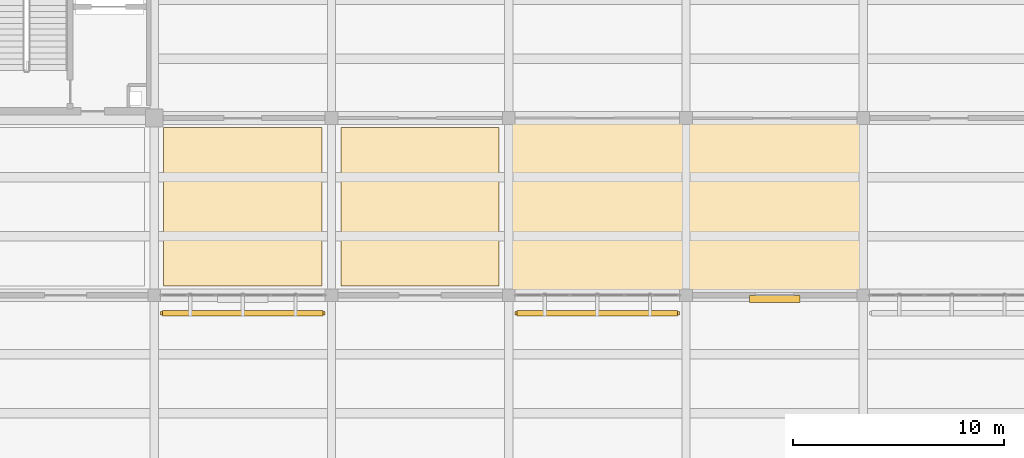
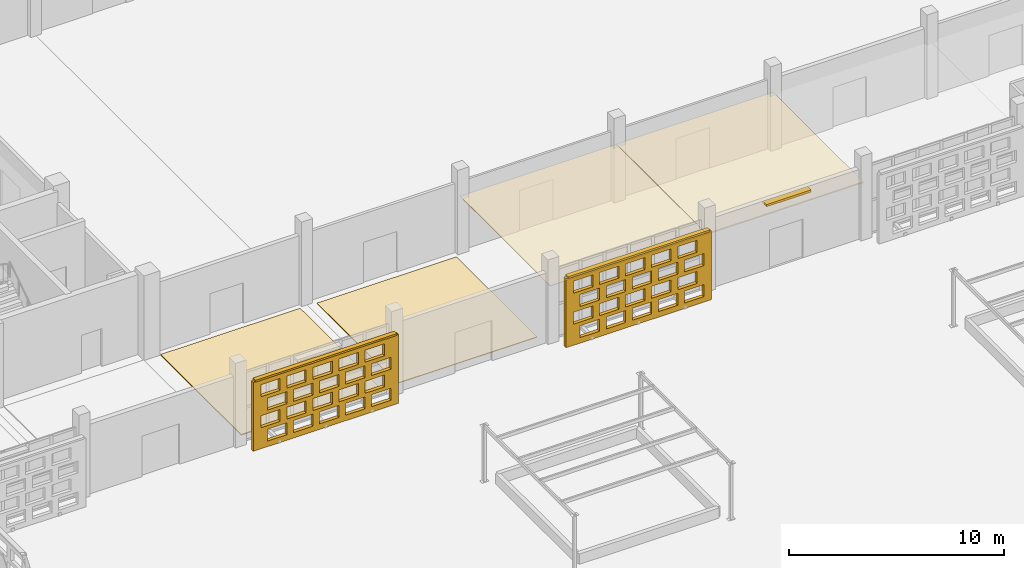
# One storey, part 104 of 129: 6 coverings, 3 shading devices, 40 openings.
"""IFC4 building model written with IfcOpenShell, lengths in metres."""

from ifc_helpers import new_model, si_unit, direction, frame, frame_2d, origin, origin_2d, place, context, subcontext, project, spatial, rectangle, extrude, material, layer, layer_set, type_object, element, save


model = new_model("IFC4")

# Units and contexts
model_context = context("Model", 3, precision=1e-05, world=origin(), true_north=direction((0.0, 1.0)))
body_context = subcontext(model_context, "Body", "Model", "MODEL_VIEW")
ifc_project = project(units=[si_unit("LENGTHUNIT", "METRE"), si_unit("AREAUNIT", "SQUARE_METRE"), si_unit("VOLUMEUNIT", "CUBIC_METRE"), si_unit("PLANEANGLEUNIT", "RADIAN"), si_unit("MASSUNIT", "GRAM", prefix="KILO")], contexts=[model_context])

# Site, building, storey
site_placement = place(None, origin())
site = spatial("IfcSite", under=ifc_project, at=site_placement, CompositionType="ELEMENT")
building_placement = place(site_placement, origin())
building = spatial("IfcBuilding", under=site, at=building_placement, Name="Varnapada Polytechnic", CompositionType="ELEMENT")
storey_placement = place(building_placement, origin())
storey = spatial("IfcBuildingStorey", under=building, at=storey_placement, Name="L00", CompositionType="ELEMENT", Elevation=0.0)

# Coverings
ifc_material_1 = material(Name="Anti-Static Raised Laboratory Flooring")
ifc_layer_1 = layer(ifc_material_1, 0.06005859375)
ifc_layer_set_1 = layer_set([ifc_layer_1], Name="Anti-Static Raised Laboratory Flooring")
covering_type_1 = type_object("IfcCoveringType", Name="Floor Finish FLR-02", PredefinedType="FLOORING", material=ifc_layer_set_1)
covering_1_placement = place(storey_placement, frame((63.0, 88.199951171875, 0.0), z_axis=(0.0, 0.0, 1.0), x_axis=(1.0, 0.0, 0.0)))
element("IfcCovering", 1, at=covering_1_placement, inside=storey, type_object=covering_type_1, Name="L00 floor finish panel (8,11)", PredefinedType="FLOORING", context=body_context, shape_type="SweptSolid", body=[
    extrude(rectangle(XDim=7.5, YDim=7.5, at=origin_2d()), origin(), (0.0, 0.0, 1.0), 0.06005859375),
])
ifc_material_2 = material(Name="Acoustic Rubber Seminar Flooring")
ifc_layer_2 = layer(ifc_material_2, 0.0400390625)
ifc_layer_set_2 = layer_set([ifc_layer_2], Name="Acoustic Rubber Seminar Flooring")
covering_type_2 = type_object("IfcCoveringType", Name="Floor Finish FLR-06", PredefinedType="FLOORING", material=ifc_layer_set_2)
covering_2_placement = place(storey_placement, frame((71.39990234375, 88.199951171875, 0.0), z_axis=(0.0, 0.0, 1.0), x_axis=(1.0, 0.0, 0.0)))
element("IfcCovering", 2, at=covering_2_placement, inside=storey, type_object=covering_type_2, Name="L00 floor finish panel (9,11)", PredefinedType="FLOORING", context=body_context, shape_type="SweptSolid", body=[
    extrude(rectangle(XDim=7.5, YDim=7.5, at=origin_2d()), origin(), (0.0, 0.0, 1.0), 0.0400390625),
])

# Shading device
ifc_material_3 = material(Name="Anodised aluminium", Category="aluminium")
ifc_layer_3 = layer(ifc_material_3, 0.35009765625)
ifc_layer_set_3 = layer_set([ifc_layer_3], Name="Anodised aluminium")
shading_device_type_1 = type_object("IfcShadingDeviceType", Name="Solar Louvre LVR-01", PredefinedType="JALOUSIE", material=ifc_layer_set_3)
shading_device_placement = place(storey_placement, frame((88.199951171875, 83.820068359375, 3.760009765625), z_axis=(0.0, 0.0, 1.0), x_axis=(-1.0, 0.0, 0.0)))
element("IfcShadingDevice", 3, at=shading_device_placement, inside=storey, type_object=shading_device_type_1, Name="L00 aluminium sun louvre 58", PredefinedType="JALOUSIE", context=body_context, shape_type="SweptSolid", body=[
    extrude(rectangle(XDim=2.39990234375, YDim=0.340087890625, at=origin_2d()), origin(), (0.0, 0.0, 1.0), 0.1201171875),
])

# Coverings
ifc_material_4 = material(Name="Moisture-Resistant Aluminum Baffle Ceiling", Category="aluminium")
ifc_layer_4 = layer(ifc_material_4, 0.030029296875)
ifc_layer_set_4 = layer_set([ifc_layer_4], Name="Moisture-Resistant Aluminum Baffle Ceiling")
covering_type_3 = type_object("IfcCoveringType", Name="Suspended Ceiling CLG-03", PredefinedType="CEILING", material=ifc_layer_set_4)
covering_3_placement = place(storey_placement, frame((79.800048828125, 88.199951171875, 3.03515625), z_axis=(0.0, 0.0, 1.0), x_axis=(1.0, 0.0, 0.0)))
element("IfcCovering", 4, at=covering_3_placement, inside=storey, type_object=covering_type_3, Name="L00 suspended acoustic ceiling (10,11)", PredefinedType="CEILING", context=body_context, shape_type="SweptSolid", body=[
    extrude(rectangle(XDim=8.419921875, YDim=8.419921875, at=origin_2d()), origin(), (0.0, 0.0, 1.0), 0.030029296875),
])
ifc_material_5 = material(Name="Deep Acoustic Auditorium Cloud Baffle")
ifc_layer_5 = layer(ifc_material_5, 0.06494140625)
ifc_layer_set_5 = layer_set([ifc_layer_5], Name="Deep Acoustic Auditorium Cloud Baffle")
covering_type_4 = type_object("IfcCoveringType", Name="Suspended Ceiling CLG-07", PredefinedType="CEILING", material=ifc_layer_set_5)
covering_4_placement = place(storey_placement, frame((88.199951171875, 88.199951171875, 3.017578125), z_axis=(0.0, 0.0, 1.0), x_axis=(1.0, 0.0, 0.0)))
element("IfcCovering", 5, at=covering_4_placement, inside=storey, type_object=covering_type_4, Name="L00 suspended acoustic ceiling (11,11)", PredefinedType="CEILING", context=body_context, shape_type="SweptSolid", body=[
    extrude(rectangle(XDim=8.419921875, YDim=8.419921875, at=origin_2d()), origin(), (0.0, 0.0, 1.0), 0.06494140625),
])

# Covering, openings
ifc_material_6 = material(Name="Earth-toned architectural terracotta screen block", Category="masonry")
ifc_layer_6 = layer(ifc_material_6, 0.1201171875)
ifc_layer_set_6 = layer_set([ifc_layer_6], Name="Earth-toned architectural terracotta screen block")
covering_type_5 = type_object("IfcCoveringType", Name="Terracotta Screen Cladding CLD-01", PredefinedType="CLADDING", material=ifc_layer_set_6)
covering_5_placement = place(storey_placement, frame((66.89990234375, 83.14990234375, 0.0), z_axis=(0.0, 0.0, 1.0), x_axis=(-1.0, 0.0, 0.0)))
covering_5 = element("IfcCovering", 6, at=covering_5_placement, inside=storey, type_object=covering_type_5, Name="L00 perforated terracotta block screen (46)", PredefinedType="CLADDING", context=body_context, shape_type="SweptSolid", body=[
    extrude(rectangle(XDim=7.7998046875, YDim=0.179931640625, at=frame_2d((3.89990234375, 0.0))), origin(), (0.0, 0.0, 1.0), 3.919921875),
])
opening_1_placement = place(covering_5_placement, frame((0.39990234375, 0.0, 0.313720703125)))
element("IfcOpeningElement", 7, at=opening_1_placement, cuts=covering_5, Name="Screen perforation TBS-L00-045.1", PredefinedType="OPENING", context=body_context, shape_type="SweptSolid", body=[
    extrude(rectangle(XDim=1.0400390625, YDim=0.679931640625, at=frame_2d((0.52001953125, 0.33984375))), frame((0.0, 0.099853515625, 0.0), z_axis=(0.0, -1.0, 0.0), x_axis=(1.0, 0.0, 0.0)), (0.0, 0.0, 1.0), 0.199951171875),
])
opening_2_placement = place(covering_5_placement, frame((1.800048828125, 0.0, 0.313720703125)))
element("IfcOpeningElement", 8, at=opening_2_placement, cuts=covering_5, Name="Screen perforation TBS-L00-045.2", PredefinedType="OPENING", context=body_context, shape_type="SweptSolid", body=[
    extrude(rectangle(XDim=1.0400390625, YDim=0.679931640625, at=frame_2d((0.52001953125, 0.33984375))), frame((0.0, 0.099853515625, 0.0), z_axis=(0.0, -1.0, 0.0), x_axis=(1.0, 0.0, 0.0)), (0.0, 0.0, 1.0), 0.199951171875),
])
opening_3_placement = place(covering_5_placement, frame((3.199951171875, 0.0, 0.313720703125)))
element("IfcOpeningElement", 9, at=opening_3_placement, cuts=covering_5, Name="Screen perforation TBS-L00-045.3", PredefinedType="OPENING", context=body_context, shape_type="SweptSolid", body=[
    extrude(rectangle(XDim=1.0400390625, YDim=0.679931640625, at=frame_2d((0.52001953125, 0.33984375))), frame((0.0, 0.099853515625, 0.0), z_axis=(0.0, -1.0, 0.0), x_axis=(1.0, 0.0, 0.0)), (0.0, 0.0, 1.0), 0.199951171875),
])
opening_4_placement = place(covering_5_placement, frame((4.60009765625, 0.0, 0.313720703125)))
element("IfcOpeningElement", 10, at=opening_4_placement, cuts=covering_5, Name="Screen perforation TBS-L00-045.4", PredefinedType="OPENING", context=body_context, shape_type="SweptSolid", body=[
    extrude(rectangle(XDim=1.0400390625, YDim=0.679931640625, at=frame_2d((0.52001953125, 0.33984375))), frame((0.0, 0.099853515625, 0.0), z_axis=(0.0, -1.0, 0.0), x_axis=(1.0, 0.0, 0.0)), (0.0, 0.0, 1.0), 0.199951171875),
])
opening_5_placement = place(covering_5_placement, frame((6.0, 0.0, 0.313720703125)))
element("IfcOpeningElement", 11, at=opening_5_placement, cuts=covering_5, Name="Screen perforation TBS-L00-045.5", PredefinedType="OPENING", context=body_context, shape_type="SweptSolid", body=[
    extrude(rectangle(XDim=1.0400390625, YDim=0.679931640625, at=frame_2d((0.52001953125, 0.33984375))), frame((0.0, 0.099853515625, 0.0), z_axis=(0.0, -1.0, 0.0), x_axis=(1.0, 0.0, 0.0)), (0.0, 0.0, 1.0), 0.199951171875),
])
opening_6_placement = place(covering_5_placement, frame((0.760009765625, 0.0, 1.195556640625)))
element("IfcOpeningElement", 12, at=opening_6_placement, cuts=covering_5, Name="Screen perforation TBS-L00-045.6", PredefinedType="OPENING", context=body_context, shape_type="SweptSolid", body=[
    extrude(rectangle(XDim=1.0400390625, YDim=0.679931640625, at=frame_2d((0.52001953125, 0.33984375))), frame((0.0, 0.099853515625, 0.0), z_axis=(0.0, -1.0, 0.0), x_axis=(1.0, 0.0, 0.0)), (0.0, 0.0, 1.0), 0.199951171875),
])
opening_7_placement = place(covering_5_placement, frame((2.159912109375, 0.0, 1.195556640625)))
element("IfcOpeningElement", 13, at=opening_7_placement, cuts=covering_5, Name="Screen perforation TBS-L00-045.7", PredefinedType="OPENING", context=body_context, shape_type="SweptSolid", body=[
    extrude(rectangle(XDim=1.0400390625, YDim=0.679931640625, at=frame_2d((0.52001953125, 0.33984375))), frame((0.0, 0.099853515625, 0.0), z_axis=(0.0, -1.0, 0.0), x_axis=(1.0, 0.0, 0.0)), (0.0, 0.0, 1.0), 0.199951171875),
])
opening_8_placement = place(covering_5_placement, frame((3.56005859375, 0.0, 1.195556640625)))
element("IfcOpeningElement", 14, at=opening_8_placement, cuts=covering_5, Name="Screen perforation TBS-L00-045.8", PredefinedType="OPENING", context=body_context, shape_type="SweptSolid", body=[
    extrude(rectangle(XDim=1.0400390625, YDim=0.679931640625, at=frame_2d((0.52001953125, 0.33984375))), frame((0.0, 0.099853515625, 0.0), z_axis=(0.0, -1.0, 0.0), x_axis=(1.0, 0.0, 0.0)), (0.0, 0.0, 1.0), 0.199951171875),
])
opening_9_placement = place(covering_5_placement, frame((4.9599609375, 0.0, 1.195556640625)))
element("IfcOpeningElement", 15, at=opening_9_placement, cuts=covering_5, Name="Screen perforation TBS-L00-045.9", PredefinedType="OPENING", context=body_context, shape_type="SweptSolid", body=[
    extrude(rectangle(XDim=1.0400390625, YDim=0.679931640625, at=frame_2d((0.52001953125, 0.33984375))), frame((0.0, 0.099853515625, 0.0), z_axis=(0.0, -1.0, 0.0), x_axis=(1.0, 0.0, 0.0)), (0.0, 0.0, 1.0), 0.199951171875),
])
opening_10_placement = place(covering_5_placement, frame((6.360107421875, 0.0, 1.195556640625)))
element("IfcOpeningElement", 16, at=opening_10_placement, cuts=covering_5, Name="Screen perforation TBS-L00-045.10", PredefinedType="OPENING", context=body_context, shape_type="SweptSolid", body=[
    extrude(rectangle(XDim=1.0400390625, YDim=0.679931640625, at=frame_2d((0.52001953125, 0.33984375))), frame((0.0, 0.099853515625, 0.0), z_axis=(0.0, -1.0, 0.0), x_axis=(1.0, 0.0, 0.0)), (0.0, 0.0, 1.0), 0.199951171875),
])
opening_11_placement = place(covering_5_placement, frame((0.39990234375, 0.0, 2.07763671875)))
element("IfcOpeningElement", 17, at=opening_11_placement, cuts=covering_5, Name="Screen perforation TBS-L00-045.11", PredefinedType="OPENING", context=body_context, shape_type="SweptSolid", body=[
    extrude(rectangle(XDim=1.0400390625, YDim=0.679931640625, at=frame_2d((0.52001953125, 0.33984375))), frame((0.0, 0.099853515625, 0.0), z_axis=(0.0, -1.0, 0.0), x_axis=(1.0, 0.0, 0.0)), (0.0, 0.0, 1.0), 0.199951171875),
])
opening_12_placement = place(covering_5_placement, frame((1.800048828125, 0.0, 2.07763671875)))
element("IfcOpeningElement", 18, at=opening_12_placement, cuts=covering_5, Name="Screen perforation TBS-L00-045.12", PredefinedType="OPENING", context=body_context, shape_type="SweptSolid", body=[
    extrude(rectangle(XDim=1.0400390625, YDim=0.679931640625, at=frame_2d((0.52001953125, 0.33984375))), frame((0.0, 0.099853515625, 0.0), z_axis=(0.0, -1.0, 0.0), x_axis=(1.0, 0.0, 0.0)), (0.0, 0.0, 1.0), 0.199951171875),
])
opening_13_placement = place(covering_5_placement, frame((3.199951171875, 0.0, 2.07763671875)))
element("IfcOpeningElement", 19, at=opening_13_placement, cuts=covering_5, Name="Screen perforation TBS-L00-045.13", PredefinedType="OPENING", context=body_context, shape_type="SweptSolid", body=[
    extrude(rectangle(XDim=1.0400390625, YDim=0.679931640625, at=frame_2d((0.52001953125, 0.33984375))), frame((0.0, 0.099853515625, 0.0), z_axis=(0.0, -1.0, 0.0), x_axis=(1.0, 0.0, 0.0)), (0.0, 0.0, 1.0), 0.199951171875),
])
opening_14_placement = place(covering_5_placement, frame((4.60009765625, 0.0, 2.07763671875)))
element("IfcOpeningElement", 20, at=opening_14_placement, cuts=covering_5, Name="Screen perforation TBS-L00-045.14", PredefinedType="OPENING", context=body_context, shape_type="SweptSolid", body=[
    extrude(rectangle(XDim=1.0400390625, YDim=0.679931640625, at=frame_2d((0.52001953125, 0.33984375))), frame((0.0, 0.099853515625, 0.0), z_axis=(0.0, -1.0, 0.0), x_axis=(1.0, 0.0, 0.0)), (0.0, 0.0, 1.0), 0.199951171875),
])
opening_15_placement = place(covering_5_placement, frame((6.0, 0.0, 2.07763671875)))
element("IfcOpeningElement", 21, at=opening_15_placement, cuts=covering_5, Name="Screen perforation TBS-L00-045.15", PredefinedType="OPENING", context=body_context, shape_type="SweptSolid", body=[
    extrude(rectangle(XDim=1.0400390625, YDim=0.679931640625, at=frame_2d((0.52001953125, 0.33984375))), frame((0.0, 0.099853515625, 0.0), z_axis=(0.0, -1.0, 0.0), x_axis=(1.0, 0.0, 0.0)), (0.0, 0.0, 1.0), 0.199951171875),
])
opening_16_placement = place(covering_5_placement, frame((0.760009765625, 0.0, 2.959716796875)))
element("IfcOpeningElement", 22, at=opening_16_placement, cuts=covering_5, Name="Screen perforation TBS-L00-045.16", PredefinedType="OPENING", context=body_context, shape_type="SweptSolid", body=[
    extrude(rectangle(XDim=1.0400390625, YDim=0.679931640625, at=frame_2d((0.52001953125, 0.33984375))), frame((0.0, 0.099853515625, 0.0), z_axis=(0.0, -1.0, 0.0), x_axis=(1.0, 0.0, 0.0)), (0.0, 0.0, 1.0), 0.199951171875),
])
opening_17_placement = place(covering_5_placement, frame((2.159912109375, 0.0, 2.959716796875)))
element("IfcOpeningElement", 23, at=opening_17_placement, cuts=covering_5, Name="Screen perforation TBS-L00-045.17", PredefinedType="OPENING", context=body_context, shape_type="SweptSolid", body=[
    extrude(rectangle(XDim=1.0400390625, YDim=0.679931640625, at=frame_2d((0.52001953125, 0.33984375))), frame((0.0, 0.099853515625, 0.0), z_axis=(0.0, -1.0, 0.0), x_axis=(1.0, 0.0, 0.0)), (0.0, 0.0, 1.0), 0.199951171875),
])
opening_18_placement = place(covering_5_placement, frame((3.56005859375, 0.0, 2.959716796875)))
element("IfcOpeningElement", 24, at=opening_18_placement, cuts=covering_5, Name="Screen perforation TBS-L00-045.18", PredefinedType="OPENING", context=body_context, shape_type="SweptSolid", body=[
    extrude(rectangle(XDim=1.0400390625, YDim=0.679931640625, at=frame_2d((0.52001953125, 0.33984375))), frame((0.0, 0.099853515625, 0.0), z_axis=(0.0, -1.0, 0.0), x_axis=(1.0, 0.0, 0.0)), (0.0, 0.0, 1.0), 0.199951171875),
])
opening_19_placement = place(covering_5_placement, frame((4.9599609375, 0.0, 2.959716796875)))
element("IfcOpeningElement", 25, at=opening_19_placement, cuts=covering_5, Name="Screen perforation TBS-L00-045.19", PredefinedType="OPENING", context=body_context, shape_type="SweptSolid", body=[
    extrude(rectangle(XDim=1.0400390625, YDim=0.679931640625, at=frame_2d((0.52001953125, 0.33984375))), frame((0.0, 0.099853515625, 0.0), z_axis=(0.0, -1.0, 0.0), x_axis=(1.0, 0.0, 0.0)), (0.0, 0.0, 1.0), 0.199951171875),
])
opening_20_placement = place(covering_5_placement, frame((6.360107421875, 0.0, 2.959716796875)))
element("IfcOpeningElement", 26, at=opening_20_placement, cuts=covering_5, Name="Screen perforation TBS-L00-045.20", PredefinedType="OPENING", context=body_context, shape_type="SweptSolid", body=[
    extrude(rectangle(XDim=1.0400390625, YDim=0.679931640625, at=frame_2d((0.52001953125, 0.33984375))), frame((0.0, 0.099853515625, 0.0), z_axis=(0.0, -1.0, 0.0), x_axis=(1.0, 0.0, 0.0)), (0.0, 0.0, 1.0), 0.199951171875),
])

covering_6_placement = place(storey_placement, frame((83.699951171875, 83.14990234375, 0.0), z_axis=(0.0, 0.0, 1.0), x_axis=(-1.0, 0.0, 0.0)))
covering_6 = element("IfcCovering", 27, at=covering_6_placement, inside=storey, type_object=covering_type_5, Name="L00 perforated terracotta block screen (54)", PredefinedType="CLADDING", context=body_context, shape_type="SweptSolid", body=[
    extrude(rectangle(XDim=7.800048828125, YDim=0.179931640625, at=frame_2d((3.89990234375, 0.0))), origin(), (0.0, 0.0, 1.0), 3.919921875),
])
opening_21_placement = place(covering_6_placement, frame((0.39990234375, 0.0, 0.313720703125)))
element("IfcOpeningElement", 28, at=opening_21_placement, cuts=covering_6, Name="Screen perforation TBS-L00-053.1", PredefinedType="OPENING", context=body_context, shape_type="SweptSolid", body=[
    extrude(rectangle(XDim=1.0400390625, YDim=0.679931640625, at=frame_2d((0.52001953125, 0.33984375))), frame((0.0, 0.099853515625, 0.0), z_axis=(0.0, -1.0, 0.0), x_axis=(1.0, 0.0, 0.0)), (0.0, 0.0, 1.0), 0.199951171875),
])
opening_22_placement = place(covering_6_placement, frame((1.800048828125, 0.0, 0.313720703125)))
element("IfcOpeningElement", 29, at=opening_22_placement, cuts=covering_6, Name="Screen perforation TBS-L00-053.2", PredefinedType="OPENING", context=body_context, shape_type="SweptSolid", body=[
    extrude(rectangle(XDim=1.0400390625, YDim=0.679931640625, at=frame_2d((0.52001953125, 0.33984375))), frame((0.0, 0.099853515625, 0.0), z_axis=(0.0, -1.0, 0.0), x_axis=(1.0, 0.0, 0.0)), (0.0, 0.0, 1.0), 0.199951171875),
])
opening_23_placement = place(covering_6_placement, frame((3.199951171875, 0.0, 0.313720703125)))
element("IfcOpeningElement", 30, at=opening_23_placement, cuts=covering_6, Name="Screen perforation TBS-L00-053.3", PredefinedType="OPENING", context=body_context, shape_type="SweptSolid", body=[
    extrude(rectangle(XDim=1.0400390625, YDim=0.679931640625, at=frame_2d((0.52001953125, 0.33984375))), frame((0.0, 0.099853515625, 0.0), z_axis=(0.0, -1.0, 0.0), x_axis=(1.0, 0.0, 0.0)), (0.0, 0.0, 1.0), 0.199951171875),
])
opening_24_placement = place(covering_6_placement, frame((4.60009765625, 0.0, 0.313720703125)))
element("IfcOpeningElement", 31, at=opening_24_placement, cuts=covering_6, Name="Screen perforation TBS-L00-053.4", PredefinedType="OPENING", context=body_context, shape_type="SweptSolid", body=[
    extrude(rectangle(XDim=1.0400390625, YDim=0.679931640625, at=frame_2d((0.52001953125, 0.33984375))), frame((0.0, 0.099853515625, 0.0), z_axis=(0.0, -1.0, 0.0), x_axis=(1.0, 0.0, 0.0)), (0.0, 0.0, 1.0), 0.199951171875),
])
opening_25_placement = place(covering_6_placement, frame((6.0, 0.0, 0.313720703125)))
element("IfcOpeningElement", 32, at=opening_25_placement, cuts=covering_6, Name="Screen perforation TBS-L00-053.5", PredefinedType="OPENING", context=body_context, shape_type="SweptSolid", body=[
    extrude(rectangle(XDim=1.0400390625, YDim=0.679931640625, at=frame_2d((0.52001953125, 0.33984375))), frame((0.0, 0.099853515625, 0.0), z_axis=(0.0, -1.0, 0.0), x_axis=(1.0, 0.0, 0.0)), (0.0, 0.0, 1.0), 0.199951171875),
])
opening_26_placement = place(covering_6_placement, frame((0.760009765625, 0.0, 1.195556640625)))
element("IfcOpeningElement", 33, at=opening_26_placement, cuts=covering_6, Name="Screen perforation TBS-L00-053.6", PredefinedType="OPENING", context=body_context, shape_type="SweptSolid", body=[
    extrude(rectangle(XDim=1.0400390625, YDim=0.679931640625, at=frame_2d((0.52001953125, 0.33984375))), frame((0.0, 0.099853515625, 0.0), z_axis=(0.0, -1.0, 0.0), x_axis=(1.0, 0.0, 0.0)), (0.0, 0.0, 1.0), 0.199951171875),
])
opening_27_placement = place(covering_6_placement, frame((2.159912109375, 0.0, 1.195556640625)))
element("IfcOpeningElement", 34, at=opening_27_placement, cuts=covering_6, Name="Screen perforation TBS-L00-053.7", PredefinedType="OPENING", context=body_context, shape_type="SweptSolid", body=[
    extrude(rectangle(XDim=1.0400390625, YDim=0.679931640625, at=frame_2d((0.52001953125, 0.33984375))), frame((0.0, 0.099853515625, 0.0), z_axis=(0.0, -1.0, 0.0), x_axis=(1.0, 0.0, 0.0)), (0.0, 0.0, 1.0), 0.199951171875),
])
opening_28_placement = place(covering_6_placement, frame((3.56005859375, 0.0, 1.195556640625)))
element("IfcOpeningElement", 35, at=opening_28_placement, cuts=covering_6, Name="Screen perforation TBS-L00-053.8", PredefinedType="OPENING", context=body_context, shape_type="SweptSolid", body=[
    extrude(rectangle(XDim=1.0400390625, YDim=0.679931640625, at=frame_2d((0.52001953125, 0.33984375))), frame((0.0, 0.099853515625, 0.0), z_axis=(0.0, -1.0, 0.0), x_axis=(1.0, 0.0, 0.0)), (0.0, 0.0, 1.0), 0.199951171875),
])
opening_29_placement = place(covering_6_placement, frame((4.9599609375, 0.0, 1.195556640625)))
element("IfcOpeningElement", 36, at=opening_29_placement, cuts=covering_6, Name="Screen perforation TBS-L00-053.9", PredefinedType="OPENING", context=body_context, shape_type="SweptSolid", body=[
    extrude(rectangle(XDim=1.0400390625, YDim=0.679931640625, at=frame_2d((0.52001953125, 0.33984375))), frame((0.0, 0.099853515625, 0.0), z_axis=(0.0, -1.0, 0.0), x_axis=(1.0, 0.0, 0.0)), (0.0, 0.0, 1.0), 0.199951171875),
])
opening_30_placement = place(covering_6_placement, frame((6.360107421875, 0.0, 1.195556640625)))
element("IfcOpeningElement", 37, at=opening_30_placement, cuts=covering_6, Name="Screen perforation TBS-L00-053.10", PredefinedType="OPENING", context=body_context, shape_type="SweptSolid", body=[
    extrude(rectangle(XDim=1.0400390625, YDim=0.679931640625, at=frame_2d((0.52001953125, 0.33984375))), frame((0.0, 0.099853515625, 0.0), z_axis=(0.0, -1.0, 0.0), x_axis=(1.0, 0.0, 0.0)), (0.0, 0.0, 1.0), 0.199951171875),
])
opening_31_placement = place(covering_6_placement, frame((0.39990234375, 0.0, 2.07763671875)))
element("IfcOpeningElement", 38, at=opening_31_placement, cuts=covering_6, Name="Screen perforation TBS-L00-053.11", PredefinedType="OPENING", context=body_context, shape_type="SweptSolid", body=[
    extrude(rectangle(XDim=1.0400390625, YDim=0.679931640625, at=frame_2d((0.52001953125, 0.33984375))), frame((0.0, 0.099853515625, 0.0), z_axis=(0.0, -1.0, 0.0), x_axis=(1.0, 0.0, 0.0)), (0.0, 0.0, 1.0), 0.199951171875),
])
opening_32_placement = place(covering_6_placement, frame((1.800048828125, 0.0, 2.07763671875)))
element("IfcOpeningElement", 39, at=opening_32_placement, cuts=covering_6, Name="Screen perforation TBS-L00-053.12", PredefinedType="OPENING", context=body_context, shape_type="SweptSolid", body=[
    extrude(rectangle(XDim=1.0400390625, YDim=0.679931640625, at=frame_2d((0.52001953125, 0.33984375))), frame((0.0, 0.099853515625, 0.0), z_axis=(0.0, -1.0, 0.0), x_axis=(1.0, 0.0, 0.0)), (0.0, 0.0, 1.0), 0.199951171875),
])
opening_33_placement = place(covering_6_placement, frame((3.199951171875, 0.0, 2.07763671875)))
element("IfcOpeningElement", 40, at=opening_33_placement, cuts=covering_6, Name="Screen perforation TBS-L00-053.13", PredefinedType="OPENING", context=body_context, shape_type="SweptSolid", body=[
    extrude(rectangle(XDim=1.0400390625, YDim=0.679931640625, at=frame_2d((0.52001953125, 0.33984375))), frame((0.0, 0.099853515625, 0.0), z_axis=(0.0, -1.0, 0.0), x_axis=(1.0, 0.0, 0.0)), (0.0, 0.0, 1.0), 0.199951171875),
])
opening_34_placement = place(covering_6_placement, frame((4.60009765625, 0.0, 2.07763671875)))
element("IfcOpeningElement", 41, at=opening_34_placement, cuts=covering_6, Name="Screen perforation TBS-L00-053.14", PredefinedType="OPENING", context=body_context, shape_type="SweptSolid", body=[
    extrude(rectangle(XDim=1.0400390625, YDim=0.679931640625, at=frame_2d((0.52001953125, 0.33984375))), frame((0.0, 0.099853515625, 0.0), z_axis=(0.0, -1.0, 0.0), x_axis=(1.0, 0.0, 0.0)), (0.0, 0.0, 1.0), 0.199951171875),
])
opening_35_placement = place(covering_6_placement, frame((6.0, 0.0, 2.07763671875)))
element("IfcOpeningElement", 42, at=opening_35_placement, cuts=covering_6, Name="Screen perforation TBS-L00-053.15", PredefinedType="OPENING", context=body_context, shape_type="SweptSolid", body=[
    extrude(rectangle(XDim=1.0400390625, YDim=0.679931640625, at=frame_2d((0.52001953125, 0.33984375))), frame((0.0, 0.099853515625, 0.0), z_axis=(0.0, -1.0, 0.0), x_axis=(1.0, 0.0, 0.0)), (0.0, 0.0, 1.0), 0.199951171875),
])
opening_36_placement = place(covering_6_placement, frame((0.760009765625, 0.0, 2.959716796875)))
element("IfcOpeningElement", 43, at=opening_36_placement, cuts=covering_6, Name="Screen perforation TBS-L00-053.16", PredefinedType="OPENING", context=body_context, shape_type="SweptSolid", body=[
    extrude(rectangle(XDim=1.0400390625, YDim=0.679931640625, at=frame_2d((0.52001953125, 0.33984375))), frame((0.0, 0.099853515625, 0.0), z_axis=(0.0, -1.0, 0.0), x_axis=(1.0, 0.0, 0.0)), (0.0, 0.0, 1.0), 0.199951171875),
])
opening_37_placement = place(covering_6_placement, frame((2.159912109375, 0.0, 2.959716796875)))
element("IfcOpeningElement", 44, at=opening_37_placement, cuts=covering_6, Name="Screen perforation TBS-L00-053.17", PredefinedType="OPENING", context=body_context, shape_type="SweptSolid", body=[
    extrude(rectangle(XDim=1.0400390625, YDim=0.679931640625, at=frame_2d((0.52001953125, 0.33984375))), frame((0.0, 0.099853515625, 0.0), z_axis=(0.0, -1.0, 0.0), x_axis=(1.0, 0.0, 0.0)), (0.0, 0.0, 1.0), 0.199951171875),
])
opening_38_placement = place(covering_6_placement, frame((3.56005859375, 0.0, 2.959716796875)))
element("IfcOpeningElement", 45, at=opening_38_placement, cuts=covering_6, Name="Screen perforation TBS-L00-053.18", PredefinedType="OPENING", context=body_context, shape_type="SweptSolid", body=[
    extrude(rectangle(XDim=1.0400390625, YDim=0.679931640625, at=frame_2d((0.52001953125, 0.33984375))), frame((0.0, 0.099853515625, 0.0), z_axis=(0.0, -1.0, 0.0), x_axis=(1.0, 0.0, 0.0)), (0.0, 0.0, 1.0), 0.199951171875),
])
opening_39_placement = place(covering_6_placement, frame((4.9599609375, 0.0, 2.959716796875)))
element("IfcOpeningElement", 46, at=opening_39_placement, cuts=covering_6, Name="Screen perforation TBS-L00-053.19", PredefinedType="OPENING", context=body_context, shape_type="SweptSolid", body=[
    extrude(rectangle(XDim=1.0400390625, YDim=0.679931640625, at=frame_2d((0.52001953125, 0.33984375))), frame((0.0, 0.099853515625, 0.0), z_axis=(0.0, -1.0, 0.0), x_axis=(1.0, 0.0, 0.0)), (0.0, 0.0, 1.0), 0.199951171875),
])
opening_40_placement = place(covering_6_placement, frame((6.360107421875, 0.0, 2.959716796875)))
element("IfcOpeningElement", 47, at=opening_40_placement, cuts=covering_6, Name="Screen perforation TBS-L00-053.20", PredefinedType="OPENING", context=body_context, shape_type="SweptSolid", body=[
    extrude(rectangle(XDim=1.0400390625, YDim=0.679931640625, at=frame_2d((0.52001953125, 0.33984375))), frame((0.0, 0.099853515625, 0.0), z_axis=(0.0, -1.0, 0.0), x_axis=(1.0, 0.0, 0.0)), (0.0, 0.0, 1.0), 0.199951171875),
])

# Shading devices
ifc_layer_7 = layer(ifc_material_6, 0.179931640625)
ifc_layer_set_7 = layer_set([ifc_layer_7], Name="Earth-toned architectural terracotta screen block")
shading_device_type_2 = type_object("IfcShadingDeviceType", Name="Terracotta Screen SCR-02", PredefinedType="USERDEFINED", material=ifc_layer_set_7)
for number, where, z_axis, x_axis, name in (
    (48, (63.0, 83.14990234375, 3.909912109375), (0.0, 0.0, 1.0), (-1.0, 0.0, 0.0), "L00 perforated terracotta screen hood 35"),
    (49, (79.800048828125, 83.14990234375, 3.909912109375), (0.0, 0.0, 1.0), (-1.0, 0.0, 0.0), "L00 perforated terracotta screen hood 40"),
):
    element("IfcShadingDevice", number, at=place(storey_placement, frame(where, z_axis=z_axis, x_axis=x_axis)), inside=storey, type_object=shading_device_type_2, Name=name, ObjectType="SCREEN", PredefinedType="USERDEFINED", context=body_context, shape_type="SweptSolid", body=[
        extrude(rectangle(XDim=7.60009765625, YDim=0.239990234375, at=origin_2d()), origin(), (0.0, 0.0, 1.0), 0.10009765625),
    ])

save(model, "model.ifc")
